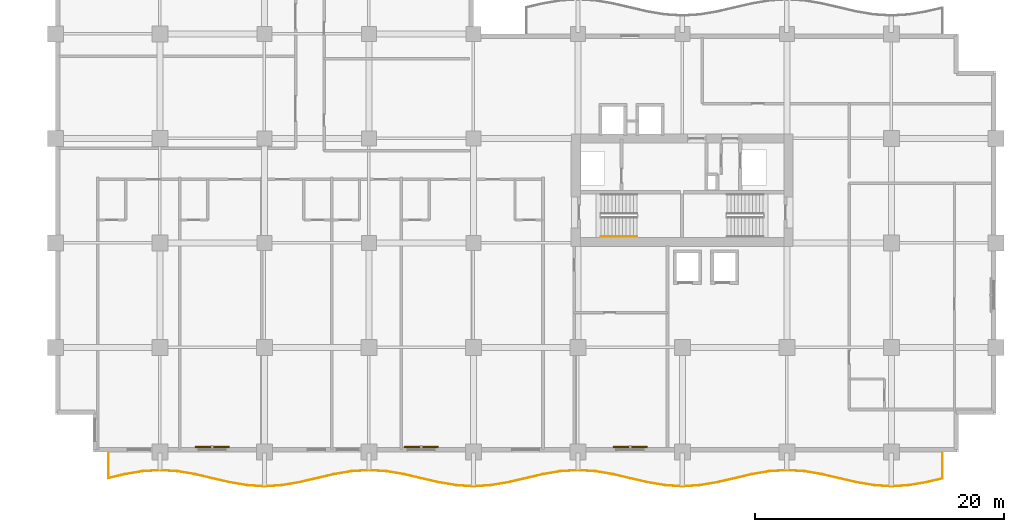
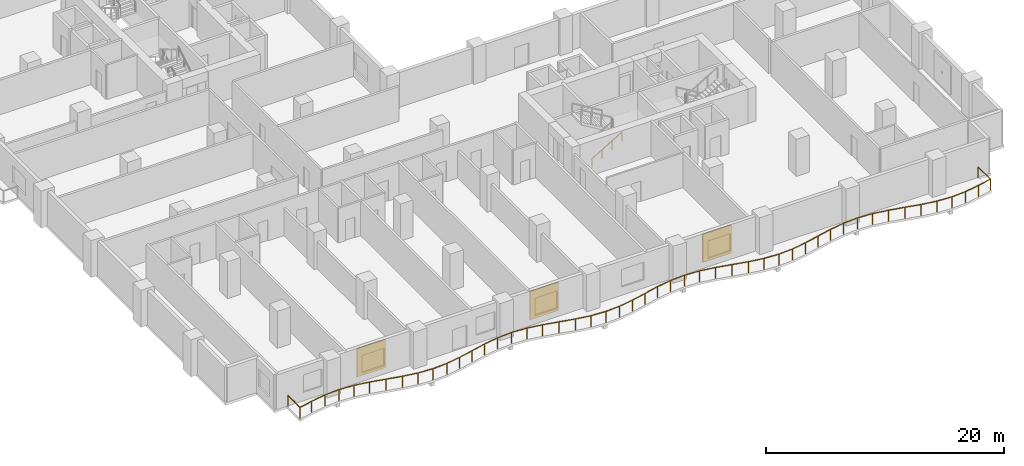
# One storey, part 17 of 20: 3 shading devices, 2 railings.
"""IFC4 building model written with IfcOpenShell, lengths in metres."""

import ifcopenshell
import ifcopenshell.guid

model = None  # the IFC model being written
_history = None  # IfcOwnerHistory: only IFC2X3 demands one
_inside = {}  # id of a spatial element -> (the spatial element, [elements in it])
_under = {}  # id of a project, library or spatial element -> (it, [spatial elements below it])
_declared = {}  # id of a project -> (the project, [libraries it declares])
_typed = {}  # id of a type object -> (the type object, [elements of that type])
_made_of = {}  # id of a material, layer set ... -> (it, [elements and type objects made of it])


def new_model(schema):
    """Start an empty IFC model of exactly this schema.

    Asked for "IFC4X3", IfcOpenShell would pick the latest addendum, in which some entities
    have other attributes; the version numbers below select the first issue.
    IFC2X3 requires an IfcOwnerHistory on every rooted entity: one is made here for all.
    """
    global model, _history
    if schema == "IFC4X3":
        model = ifcopenshell.file(schema_version=(4, 3, 0, 0))
    else:
        model = ifcopenshell.file(schema=schema)
    _inside.clear()
    _under.clear()
    _declared.clear()
    _typed.clear()
    _made_of.clear()
    _history = None
    if model.schema == "IFC2X3":
        org = make("IfcOrganization", Name="unknown")
        user = make(
            "IfcPersonAndOrganization",
            ThePerson=make("IfcPerson", FamilyName="unknown"),
            TheOrganization=org,
        )
        app = make(
            "IfcApplication",
            ApplicationDeveloper=org,
            Version="unknown",
            ApplicationFullName="unknown",
            ApplicationIdentifier="unknown",
        )
        _history = make(
            "IfcOwnerHistory",
            OwningUser=user,
            OwningApplication=app,
            ChangeAction="ADDED",
            CreationDate=0,
        )
    return model


def make(cls, **values):
    """One entity of the class cls with the attributes given. An attribute that is None is left unset."""
    return model.create_entity(
        cls, **{name: value for name, value in values.items() if value is not None}
    )


def rooted(cls, **values):
    """An entity with a GlobalId (a new one), such as an element, a storey or a relation."""
    return make(cls, GlobalId=ifcopenshell.guid.new(), OwnerHistory=_history, **values)


def si_unit(unit_type, name, prefix=None):
    """IfcSIUnit, for example si_unit("LENGTHUNIT", "METRE", prefix="MILLI")."""
    return make("IfcSIUnit", UnitType=unit_type, Prefix=prefix, Name=name)


def assignment(units):
    """IfcUnitAssignment: the units of a project."""
    return None if units is None else make("IfcUnitAssignment", Units=units)


def point(xyz):
    """IfcCartesianPoint."""
    return None if xyz is None else make("IfcCartesianPoint", Coordinates=xyz)


def direction(xyz):
    """IfcDirection."""
    return None if xyz is None else make("IfcDirection", DirectionRatios=xyz)


def frame(location, z_axis=None, x_axis=None):
    """IfcAxis2Placement3D, a coordinate frame: its origin and axes. An axis left out is left unset."""
    return make(
        "IfcAxis2Placement3D",
        Location=point(location),
        Axis=direction(z_axis),
        RefDirection=direction(x_axis),
    )


def frame_2d(location, x_axis=None):
    """IfcAxis2Placement2D, a coordinate frame in the plane: its origin and x axis."""
    return make(
        "IfcAxis2Placement2D", Location=point(location), RefDirection=direction(x_axis)
    )


def origin():
    """The frame at (0, 0, 0) with its axes left unset."""
    return frame((0.0, 0.0, 0.0))


def origin_2d():
    """The frame at (0, 0) in the plane with its x axis left unset."""
    return frame_2d((0.0, 0.0))


def place(relative_to, where):
    """IfcLocalPlacement: puts the frame where relative to a parent placement (None: the world)."""
    return make(
        "IfcLocalPlacement", PlacementRelTo=relative_to, RelativePlacement=where
    )


def context(
    kind, dimensions, precision=None, world=None, true_north=None, identifier=None
):
    """IfcGeometricRepresentationContext, for example the 3D "Model" context."""
    return make(
        "IfcGeometricRepresentationContext",
        ContextIdentifier=identifier,
        ContextType=kind,
        CoordinateSpaceDimension=dimensions,
        Precision=precision,
        WorldCoordinateSystem=world,
        TrueNorth=true_north,
    )


def subcontext(parent, identifier, kind, view, scale=None):
    """IfcGeometricRepresentationSubContext, for example "Body" below "Model"."""
    return make(
        "IfcGeometricRepresentationSubContext",
        ContextIdentifier=identifier,
        ContextType=kind,
        ParentContext=parent,
        TargetScale=scale,
        TargetView=view,
    )


def project(units=None, contexts=None):
    """IfcProject with its units and contexts."""
    return rooted(
        "IfcProject",
        Name="project",
        RepresentationContexts=contexts,
        UnitsInContext=assignment(units),
    )


def spatial(cls, under=None, at=None, **own):
    """A site, building, storey or space (cls), placed at a placement, below another one or the project."""
    s = rooted(cls, ObjectPlacement=at, **own)
    if under is not None:
        _under.setdefault(under.id(), (under, []))[1].append(s)
    return s


def profile(cls, at=None, kind="AREA", **sizes):
    """A parametric profile (cls). Its sizes go by their IFC names, for example OverallWidth=200.0."""
    return make(cls, ProfileType=kind, Position=at, **sizes)


def rectangle(**sizes):
    """IfcRectangleProfileDef."""
    return profile("IfcRectangleProfileDef", **sizes)


def circle(**sizes):
    """IfcCircleProfileDef."""
    return profile("IfcCircleProfileDef", **sizes)


def extrude(swept, where, along, depth):
    """IfcExtrudedAreaSolid: the profile swept, set in the frame where, extruded along a direction by depth."""
    return make(
        "IfcExtrudedAreaSolid",
        SweptArea=swept,
        Position=where,
        ExtrudedDirection=direction(along),
        Depth=depth,
    )


def shape(context_of_items, identifier, shape_type, items):
    """IfcShapeRepresentation: the items that make up one representation, for example the "Body"."""
    return make(
        "IfcShapeRepresentation",
        ContextOfItems=context_of_items,
        RepresentationIdentifier=identifier,
        RepresentationType=shape_type,
        Items=items,
    )


def material(Name=None, Category=None):
    """IfcMaterial."""
    return make("IfcMaterial", Name=Name, Category=Category)


def layer(
    of_material, thickness, ventilated=None, Name=None, Category=None, Priority=None
):
    """IfcMaterialLayer: one layer of a wall or slab, of a material (None: an air gap)."""
    return make(
        "IfcMaterialLayer",
        Material=of_material,
        LayerThickness=thickness,
        IsVentilated=ventilated,
        Name=Name,
        Category=Category,
        Priority=Priority,
    )


def layer_set(layers, Name=None):
    """IfcMaterialLayerSet."""
    return make("IfcMaterialLayerSet", MaterialLayers=layers, LayerSetName=Name)


def made_of(thing, what):
    """Note that an element or type object is made of a material, layer set ...; save() writes the relation."""
    if what is not None:
        _made_of.setdefault(what.id(), (what, []))[1].append(thing)
    return thing


def type_object(cls, material=None, **own):
    """A type object (cls), such as IfcWallType, which elements share."""
    return made_of(rooted(cls, **own), material)


def element(
    cls,
    number,
    at=None,
    inside=None,
    cuts=None,
    type_object=None,
    material=None,
    context=None,
    identifier="Body",
    shape_type=None,
    held_by="IfcProductDefinitionShape",
    body=None,
    shapes=None,
    **own,
):
    """One element of the class cls, such as IfcWall. Its Tag is "e" and its number.

    at: its placement. inside: the storey or other place that contains it. cuts: it is an
    opening in that element (IfcRelVoidsElement). A single representation is given by context,
    identifier, shape_type and body (its items); several are given by shapes. held_by: the class
    of the entity that holds the representations. save() writes the other relations.
    """
    e = rooted(cls, Tag="e%d" % number, ObjectPlacement=at, **own)
    if body is not None:
        shapes = [shape(context, identifier, shape_type, body)]
    if shapes is not None:
        e.Representation = make(held_by, Representations=shapes)
    if inside is not None:
        _inside.setdefault(inside.id(), (inside, []))[1].append(e)
    if cuts is not None:
        rooted(
            "IfcRelVoidsElement", RelatingBuildingElement=cuts, RelatedOpeningElement=e
        )
    if type_object is not None:
        _typed.setdefault(type_object.id(), (type_object, []))[1].append(e)
    return made_of(e, material)


def aggregate(whole, parts):
    """IfcRelAggregates: a whole, such as a stair, and the parts it consists of."""
    return rooted("IfcRelAggregates", RelatingObject=whole, RelatedObjects=parts)


def save(model, path):
    """Write the relations noted so far, then the file.

    IfcRelAggregates (storeys below a building ...), IfcRelContainedInSpatialStructure (elements
    in a storey), IfcRelDefinesByType, IfcRelAssociatesMaterial and IfcRelDeclares: one each for
    every whole, place, type object, material and project.
    """
    for whole, parts in _under.values():
        aggregate(whole, parts)
    for where, things in _inside.values():
        rooted(
            "IfcRelContainedInSpatialStructure",
            RelatedElements=things,
            RelatingStructure=where,
        )
    for kind, things in _typed.values():
        rooted("IfcRelDefinesByType", RelatedObjects=things, RelatingType=kind)
    for what, things in _made_of.values():
        rooted("IfcRelAssociatesMaterial", RelatedObjects=things, RelatingMaterial=what)
    for by, libraries in _declared.values():
        rooted("IfcRelDeclares", RelatingContext=by, RelatedDefinitions=libraries)
    model.write(path)


model = new_model("IFC4")

# Units and contexts
model_context = context("Model", 3, precision=1e-05, world=origin(), true_north=direction((0.0, 1.0)))
body_context = subcontext(model_context, "Body", "Model", "MODEL_VIEW")
ifc_project = project(units=[si_unit("LENGTHUNIT", "METRE"), si_unit("AREAUNIT", "SQUARE_METRE"), si_unit("VOLUMEUNIT", "CUBIC_METRE"), si_unit("PLANEANGLEUNIT", "RADIAN"), si_unit("MASSUNIT", "GRAM", prefix="KILO")], contexts=[model_context])

# Site, building, storey
site_placement = place(None, origin())
site = spatial("IfcSite", under=ifc_project, at=site_placement, CompositionType="ELEMENT")
building_placement = place(site_placement, origin())
building = spatial("IfcBuilding", under=site, at=building_placement, Name="Koriwani Terraces Tower", CompositionType="ELEMENT")
storey_placement = place(building_placement, frame((0.0, 0.0, 126.60009765625)))
storey = spatial("IfcBuildingStorey", under=building, at=storey_placement, Name="L30", CompositionType="ELEMENT", Elevation=126.60009765625)

# Railings
ifc_material_1 = material(Name="Steel ASTM A572 Grade 50", Category="steel")
railing_type_1 = type_object("IfcRailingType", Name="GUARD_BALUSTRADE_1150", PredefinedType="BALUSTRADE", material=ifc_material_1)
railing_1_placement = place(storey_placement, frame((4.280029296875, -0.080078125, 0.0)))
element("IfcRailing", 1, at=railing_1_placement, inside=storey, type_object=railing_type_1, Name="L30 Balcony Perimeter Safety Balustrade (S)", PredefinedType="BALUSTRADE", context=body_context, shape_type="SweptSolid", body=[
    extrude(circle(Radius=0.02392578125, at=origin_2d()), frame((0.0, 0.0, 1.1259765625), z_axis=(0.0, -1.0, 0.0), x_axis=(1.0, 0.0, 0.0)), (0.0, 0.0, 1.0), 2.019287109375),
    extrude(circle(Radius=0.02392578125, at=origin_2d()), frame((0.0, -2.019287109375, 1.1259765625), z_axis=(0.974101503583, 0.226111168934, 0.0), x_axis=(-0.226111168934, 0.974101503583, 0.0)), (0.0, 0.0, 1.0), 1.3388671875),
    extrude(circle(Radius=0.02392578125, at=origin_2d()), frame((1.30419921875, -1.716552734375, 1.1259765625), z_axis=(0.985866306337, 0.167533954852, 0.0), x_axis=(-0.167533954852, 0.985866306337, 0.0)), (0.0, 0.0, 1.0), 1.4267578125),
    extrude(circle(Radius=0.02392578125, at=origin_2d()), frame((2.710693359375, -1.4775390625, 1.1259765625), z_axis=(0.9980820707, 0.061904605217, 0.0), x_axis=(-0.061904605217, 0.9980820707, 0.0)), (0.0, 0.0, 1.0), 1.411865234375),
    extrude(circle(Radius=0.02392578125, at=origin_2d()), frame((4.119873046875, -1.39013671875, 1.1259765625), z_axis=(0.9980820707, -0.061904605217, 0.0), x_axis=(0.061904605217, 0.9980820707, 0.0)), (0.0, 0.0, 1.0), 1.411865234375),
    extrude(circle(Radius=0.02392578125, at=origin_2d()), frame((5.529052734375, -1.4775390625, 1.1259765625), z_axis=(0.985871108269, -0.16750569507, 0.0), x_axis=(0.16750569507, 0.985871108269, 0.0)), (0.0, 0.0, 1.0), 1.427001953125),
    extrude(circle(Radius=0.02392578125, at=origin_2d()), frame((6.935791015625, -1.716552734375, 1.1259765625), z_axis=(0.974105551615, -0.226093729043, 0.0), x_axis=(0.226093729043, 0.974105551615, 0.0)), (0.0, 0.0, 1.0), 2.87451171875),
    extrude(circle(Radius=0.02392578125, at=origin_2d()), frame((9.73583984375, -2.366455078125, 1.1259765625), z_axis=(0.985861269125, -0.167563594016, 0.0), x_axis=(0.167563594016, 0.985861269125, 0.0)), (0.0, 0.0, 1.0), 1.413330078125),
    extrude(circle(Radius=0.02392578125, at=origin_2d()), frame((11.129150390625, -2.603271484375, 1.1259765625), z_axis=(0.998075009192, -0.062018352335, 0.0), x_axis=(0.062018352335, 0.998075009192, 0.0)), (0.0, 0.0, 1.0), 1.3935546875),
    extrude(circle(Radius=0.02392578125, at=origin_2d()), frame((12.52001953125, -2.689697265625, 1.1259765625), z_axis=(0.998075009192, 0.062018352335, 0.0), x_axis=(-0.062018352335, 0.998075009192, 0.0)), (0.0, 0.0, 1.0), 1.3935546875),
    extrude(circle(Radius=0.02392578125, at=origin_2d()), frame((13.910888671875, -2.603271484375, 1.1259765625), z_axis=(0.985861269125, 0.167563594016, 0.0), x_axis=(-0.167563594016, 0.985861269125, 0.0)), (0.0, 0.0, 1.0), 1.413330078125),
    extrude(circle(Radius=0.02392578125, at=origin_2d()), frame((15.30419921875, -2.366455078125, 1.1259765625), z_axis=(0.974105551615, 0.226093729043, 0.0), x_axis=(-0.226093729043, 0.974105551615, 0.0)), (0.0, 0.0, 1.0), 2.87451171875),
    extrude(circle(Radius=0.02392578125, at=origin_2d()), frame((18.104248046875, -1.716552734375, 1.1259765625), z_axis=(0.985866306337, 0.167533954852, 0.0), x_axis=(-0.167533954852, 0.985866306337, 0.0)), (0.0, 0.0, 1.0), 1.4267578125),
    extrude(circle(Radius=0.02392578125, at=origin_2d()), frame((19.5107421875, -1.4775390625, 1.1259765625), z_axis=(0.9980820707, 0.061904605217, 0.0), x_axis=(-0.061904605217, 0.9980820707, 0.0)), (0.0, 0.0, 1.0), 1.411865234375),
    extrude(circle(Radius=0.02392578125, at=origin_2d()), frame((20.919921875, -1.39013671875, 1.1259765625), z_axis=(0.9980820707, -0.061904605217, 0.0), x_axis=(0.061904605217, 0.9980820707, 0.0)), (0.0, 0.0, 1.0), 1.411865234375),
    extrude(circle(Radius=0.02392578125, at=origin_2d()), frame((22.3291015625, -1.4775390625, 1.1259765625), z_axis=(0.985866306337, -0.167533954852, 0.0), x_axis=(0.167533954852, 0.985866306337, 0.0)), (0.0, 0.0, 1.0), 1.4267578125),
    extrude(circle(Radius=0.02392578125, at=origin_2d()), frame((23.735595703125, -1.716552734375, 1.1259765625), z_axis=(0.974109892753, -0.226075024805, 0.0), x_axis=(0.226075024805, 0.974109892753, 0.0)), (0.0, 0.0, 1.0), 2.874755859375),
    extrude(circle(Radius=0.02392578125, at=origin_2d()), frame((26.535888671875, -2.366455078125, 1.1259765625), z_axis=(0.985861269125, -0.167563594016, 0.0), x_axis=(0.167563594016, 0.985861269125, 0.0)), (0.0, 0.0, 1.0), 1.413330078125),
    extrude(circle(Radius=0.02392578125, at=origin_2d()), frame((27.92919921875, -2.603271484375, 1.1259765625), z_axis=(0.998075009192, -0.062018352335, 0.0), x_axis=(0.062018352335, 0.998075009192, 0.0)), (0.0, 0.0, 1.0), 1.3935546875),
    extrude(circle(Radius=0.02392578125, at=origin_2d()), frame((29.320068359375, -2.689697265625, 1.1259765625), z_axis=(0.998074335174, 0.062029198499, 0.0), x_axis=(-0.062029198499, 0.998074335174, 0.0)), (0.0, 0.0, 1.0), 1.393310546875),
    extrude(circle(Radius=0.02392578125, at=origin_2d()), frame((30.710693359375, -2.603271484375, 1.1259765625), z_axis=(0.985866118171, 0.167535062128, 0.0), x_axis=(-0.167535062128, 0.985866118171, 0.0)), (0.0, 0.0, 1.0), 1.41357421875),
    extrude(circle(Radius=0.02392578125, at=origin_2d()), frame((32.104248046875, -2.366455078125, 1.1259765625), z_axis=(0.974105551615, 0.226093729043, 0.0), x_axis=(-0.226093729043, 0.974105551615, 0.0)), (0.0, 0.0, 1.0), 2.87451171875),
    extrude(circle(Radius=0.02392578125, at=origin_2d()), frame((34.904296875, -1.716552734375, 1.1259765625), z_axis=(0.985866306337, 0.167533954852, 0.0), x_axis=(-0.167533954852, 0.985866306337, 0.0)), (0.0, 0.0, 1.0), 1.4267578125),
    extrude(circle(Radius=0.02392578125, at=origin_2d()), frame((36.310791015625, -1.4775390625, 1.1259765625), z_axis=(0.9980820707, 0.061904605217, 0.0), x_axis=(-0.061904605217, 0.9980820707, 0.0)), (0.0, 0.0, 1.0), 1.411865234375),
    extrude(circle(Radius=0.02392578125, at=origin_2d()), frame((37.719970703125, -1.39013671875, 1.1259765625), z_axis=(0.9980820707, -0.061904605217, 0.0), x_axis=(0.061904605217, 0.9980820707, 0.0)), (0.0, 0.0, 1.0), 1.411865234375),
    extrude(circle(Radius=0.02392578125, at=origin_2d()), frame((39.129150390625, -1.4775390625, 1.1259765625), z_axis=(0.985866306337, -0.167533954852, 0.0), x_axis=(0.167533954852, 0.985866306337, 0.0)), (0.0, 0.0, 1.0), 1.4267578125),
    extrude(circle(Radius=0.02392578125, at=origin_2d()), frame((40.53564453125, -1.716552734375, 1.1259765625), z_axis=(0.974105551615, -0.226093729043, 0.0), x_axis=(0.226093729043, 0.974105551615, 0.0)), (0.0, 0.0, 1.0), 2.87451171875),
    extrude(circle(Radius=0.02392578125, at=origin_2d()), frame((43.335693359375, -2.366455078125, 1.1259765625), z_axis=(0.985866118171, -0.167535062128, 0.0), x_axis=(0.167535062128, 0.985866118171, 0.0)), (0.0, 0.0, 1.0), 1.41357421875),
    extrude(circle(Radius=0.02392578125, at=origin_2d()), frame((44.729248046875, -2.603271484375, 1.1259765625), z_axis=(0.998074335174, -0.062029198499, 0.0), x_axis=(0.062029198499, 0.998074335174, 0.0)), (0.0, 0.0, 1.0), 1.393310546875),
    extrude(circle(Radius=0.02392578125, at=origin_2d()), frame((46.119873046875, -2.689697265625, 1.1259765625), z_axis=(0.998075009192, 0.062018352335, 0.0), x_axis=(-0.062018352335, 0.998075009192, 0.0)), (0.0, 0.0, 1.0), 1.3935546875),
    extrude(circle(Radius=0.02392578125, at=origin_2d()), frame((47.5107421875, -2.603271484375, 1.1259765625), z_axis=(0.985861269125, 0.167563594016, 0.0), x_axis=(-0.167563594016, 0.985861269125, 0.0)), (0.0, 0.0, 1.0), 1.413330078125),
    extrude(circle(Radius=0.02392578125, at=origin_2d()), frame((48.904052734375, -2.366455078125, 1.1259765625), z_axis=(0.974109892753, 0.226075024805, 0.0), x_axis=(-0.226075024805, 0.974109892753, 0.0)), (0.0, 0.0, 1.0), 2.874755859375),
    extrude(circle(Radius=0.02392578125, at=origin_2d()), frame((51.704345703125, -1.716552734375, 1.1259765625), z_axis=(0.985866306337, 0.167533954852, 0.0), x_axis=(-0.167533954852, 0.985866306337, 0.0)), (0.0, 0.0, 1.0), 1.4267578125),
    extrude(circle(Radius=0.02392578125, at=origin_2d()), frame((53.11083984375, -1.4775390625, 1.1259765625), z_axis=(0.9980820707, 0.061904605217, 0.0), x_axis=(-0.061904605217, 0.9980820707, 0.0)), (0.0, 0.0, 1.0), 1.411865234375),
    extrude(circle(Radius=0.02392578125, at=origin_2d()), frame((54.52001953125, -1.39013671875, 1.1259765625), z_axis=(0.9980820707, -0.061904605217, 0.0), x_axis=(0.061904605217, 0.9980820707, 0.0)), (0.0, 0.0, 1.0), 1.411865234375),
    extrude(circle(Radius=0.02392578125, at=origin_2d()), frame((55.92919921875, -1.4775390625, 1.1259765625), z_axis=(0.985866306337, -0.167533954852, 0.0), x_axis=(0.167533954852, 0.985866306337, 0.0)), (0.0, 0.0, 1.0), 1.4267578125),
    extrude(circle(Radius=0.02392578125, at=origin_2d()), frame((57.335693359375, -1.716552734375, 1.1259765625), z_axis=(0.974105551615, -0.226093729043, 0.0), x_axis=(0.226093729043, 0.974105551615, 0.0)), (0.0, 0.0, 1.0), 2.87451171875),
    extrude(circle(Radius=0.02392578125, at=origin_2d()), frame((60.1357421875, -2.366455078125, 1.1259765625), z_axis=(0.985861269125, -0.167563594016, 0.0), x_axis=(0.167563594016, 0.985861269125, 0.0)), (0.0, 0.0, 1.0), 1.413330078125),
    extrude(circle(Radius=0.02392578125, at=origin_2d()), frame((61.529052734375, -2.603271484375, 1.1259765625), z_axis=(0.998075009192, -0.062018352335, 0.0), x_axis=(0.062018352335, 0.998075009192, 0.0)), (0.0, 0.0, 1.0), 1.3935546875),
    extrude(circle(Radius=0.02392578125, at=origin_2d()), frame((62.919921875, -2.689697265625, 1.1259765625), z_axis=(0.998075009192, 0.062018352335, 0.0), x_axis=(-0.062018352335, 0.998075009192, 0.0)), (0.0, 0.0, 1.0), 1.3935546875),
    extrude(circle(Radius=0.02392578125, at=origin_2d()), frame((64.310791015625, -2.603271484375, 1.1259765625), z_axis=(0.985861269125, 0.167563594016, 0.0), x_axis=(-0.167563594016, 0.985861269125, 0.0)), (0.0, 0.0, 1.0), 1.413330078125),
    extrude(circle(Radius=0.02392578125, at=origin_2d()), frame((65.7041015625, -2.366455078125, 1.1259765625), z_axis=(0.974108402531, 0.226081445763, 0.0), x_axis=(-0.226081445763, 0.974108402531, 0.0)), (0.0, 0.0, 1.0), 1.371337890625),
    extrude(circle(Radius=0.02392578125, at=origin_2d()), frame((67.0400390625, -2.056396484375, 1.1259765625), z_axis=(0.0, 1.0, 0.0), x_axis=(-1.0, 0.0, 0.0)), (0.0, 0.0, 1.0), 2.056396484375),
    extrude(circle(Radius=0.02099609375, at=origin_2d()), origin(), (0.0, 0.0, 1.0), 1.101806640625),
    extrude(circle(Radius=0.02099609375, at=origin_2d()), frame((0.0, -2.019287109375, 0.0)), (0.0, 0.0, 1.0), 1.101806640625),
    extrude(circle(Radius=0.02099609375, at=origin_2d()), frame((1.30419921875, -1.716552734375, 0.0)), (0.0, 0.0, 1.0), 1.101806640625),
    extrude(circle(Radius=0.02099609375, at=origin_2d()), frame((2.710693359375, -1.4775390625, 0.0)), (0.0, 0.0, 1.0), 1.101806640625),
    extrude(circle(Radius=0.02099609375, at=origin_2d()), frame((4.119873046875, -1.39013671875, 0.0)), (0.0, 0.0, 1.0), 1.101806640625),
    extrude(circle(Radius=0.02099609375, at=origin_2d()), frame((5.529052734375, -1.4775390625, 0.0)), (0.0, 0.0, 1.0), 1.101806640625),
    extrude(circle(Radius=0.02099609375, at=origin_2d()), frame((6.935791015625, -1.716552734375, 0.0)), (0.0, 0.0, 1.0), 1.101806640625),
    extrude(circle(Radius=0.02099609375, at=origin_2d()), frame((8.3359375, -2.04150390625, 0.0)), (0.0, 0.0, 1.0), 1.101806640625),
    extrude(circle(Radius=0.02099609375, at=origin_2d()), frame((9.73583984375, -2.366455078125, 0.0)), (0.0, 0.0, 1.0), 1.101806640625),
    extrude(circle(Radius=0.02099609375, at=origin_2d()), frame((11.129150390625, -2.603271484375, 0.0)), (0.0, 0.0, 1.0), 1.101806640625),
    extrude(circle(Radius=0.02099609375, at=origin_2d()), frame((12.52001953125, -2.689697265625, 0.0)), (0.0, 0.0, 1.0), 1.101806640625),
    extrude(circle(Radius=0.02099609375, at=origin_2d()), frame((13.910888671875, -2.603271484375, 0.0)), (0.0, 0.0, 1.0), 1.101806640625),
    extrude(circle(Radius=0.02099609375, at=origin_2d()), frame((15.30419921875, -2.366455078125, 0.0)), (0.0, 0.0, 1.0), 1.101806640625),
    extrude(circle(Radius=0.02099609375, at=origin_2d()), frame((16.7041015625, -2.04150390625, 0.0)), (0.0, 0.0, 1.0), 1.101806640625),
    extrude(circle(Radius=0.02099609375, at=origin_2d()), frame((18.104248046875, -1.716552734375, 0.0)), (0.0, 0.0, 1.0), 1.101806640625),
    extrude(circle(Radius=0.02099609375, at=origin_2d()), frame((19.5107421875, -1.4775390625, 0.0)), (0.0, 0.0, 1.0), 1.101806640625),
    extrude(circle(Radius=0.02099609375, at=origin_2d()), frame((20.919921875, -1.39013671875, 0.0)), (0.0, 0.0, 1.0), 1.101806640625),
    extrude(circle(Radius=0.02099609375, at=origin_2d()), frame((22.3291015625, -1.4775390625, 0.0)), (0.0, 0.0, 1.0), 1.101806640625),
    extrude(circle(Radius=0.02099609375, at=origin_2d()), frame((23.735595703125, -1.716552734375, 0.0)), (0.0, 0.0, 1.0), 1.101806640625),
    extrude(circle(Radius=0.02099609375, at=origin_2d()), frame((25.1357421875, -2.04150390625, 0.0)), (0.0, 0.0, 1.0), 1.101806640625),
    extrude(circle(Radius=0.02099609375, at=origin_2d()), frame((26.535888671875, -2.366455078125, 0.0)), (0.0, 0.0, 1.0), 1.101806640625),
    extrude(circle(Radius=0.02099609375, at=origin_2d()), frame((27.92919921875, -2.603271484375, 0.0)), (0.0, 0.0, 1.0), 1.101806640625),
    extrude(circle(Radius=0.02099609375, at=origin_2d()), frame((29.320068359375, -2.689697265625, 0.0)), (0.0, 0.0, 1.0), 1.101806640625),
    extrude(circle(Radius=0.02099609375, at=origin_2d()), frame((30.710693359375, -2.603271484375, 0.0)), (0.0, 0.0, 1.0), 1.101806640625),
    extrude(circle(Radius=0.02099609375, at=origin_2d()), frame((32.104248046875, -2.366455078125, 0.0)), (0.0, 0.0, 1.0), 1.101806640625),
    extrude(circle(Radius=0.02099609375, at=origin_2d()), frame((33.50439453125, -2.04150390625, 0.0)), (0.0, 0.0, 1.0), 1.101806640625),
    extrude(circle(Radius=0.02099609375, at=origin_2d()), frame((34.904296875, -1.716552734375, 0.0)), (0.0, 0.0, 1.0), 1.101806640625),
    extrude(circle(Radius=0.02099609375, at=origin_2d()), frame((36.310791015625, -1.4775390625, 0.0)), (0.0, 0.0, 1.0), 1.101806640625),
    extrude(circle(Radius=0.02099609375, at=origin_2d()), frame((37.719970703125, -1.39013671875, 0.0)), (0.0, 0.0, 1.0), 1.101806640625),
    extrude(circle(Radius=0.02099609375, at=origin_2d()), frame((39.129150390625, -1.4775390625, 0.0)), (0.0, 0.0, 1.0), 1.101806640625),
    extrude(circle(Radius=0.02099609375, at=origin_2d()), frame((40.53564453125, -1.716552734375, 0.0)), (0.0, 0.0, 1.0), 1.101806640625),
    extrude(circle(Radius=0.02099609375, at=origin_2d()), frame((41.935546875, -2.04150390625, 0.0)), (0.0, 0.0, 1.0), 1.101806640625),
    extrude(circle(Radius=0.02099609375, at=origin_2d()), frame((43.335693359375, -2.366455078125, 0.0)), (0.0, 0.0, 1.0), 1.101806640625),
    extrude(circle(Radius=0.02099609375, at=origin_2d()), frame((44.729248046875, -2.603271484375, 0.0)), (0.0, 0.0, 1.0), 1.101806640625),
    extrude(circle(Radius=0.02099609375, at=origin_2d()), frame((46.119873046875, -2.689697265625, 0.0)), (0.0, 0.0, 1.0), 1.101806640625),
    extrude(circle(Radius=0.02099609375, at=origin_2d()), frame((47.5107421875, -2.603271484375, 0.0)), (0.0, 0.0, 1.0), 1.101806640625),
    extrude(circle(Radius=0.02099609375, at=origin_2d()), frame((48.904052734375, -2.366455078125, 0.0)), (0.0, 0.0, 1.0), 1.101806640625),
    extrude(circle(Radius=0.02099609375, at=origin_2d()), frame((50.30419921875, -2.04150390625, 0.0)), (0.0, 0.0, 1.0), 1.101806640625),
    extrude(circle(Radius=0.02099609375, at=origin_2d()), frame((51.704345703125, -1.716552734375, 0.0)), (0.0, 0.0, 1.0), 1.101806640625),
    extrude(circle(Radius=0.02099609375, at=origin_2d()), frame((53.11083984375, -1.4775390625, 0.0)), (0.0, 0.0, 1.0), 1.101806640625),
    extrude(circle(Radius=0.02099609375, at=origin_2d()), frame((54.52001953125, -1.39013671875, 0.0)), (0.0, 0.0, 1.0), 1.101806640625),
    extrude(circle(Radius=0.02099609375, at=origin_2d()), frame((55.92919921875, -1.4775390625, 0.0)), (0.0, 0.0, 1.0), 1.101806640625),
    extrude(circle(Radius=0.02099609375, at=origin_2d()), frame((57.335693359375, -1.716552734375, 0.0)), (0.0, 0.0, 1.0), 1.101806640625),
    extrude(circle(Radius=0.02099609375, at=origin_2d()), frame((58.73583984375, -2.04150390625, 0.0)), (0.0, 0.0, 1.0), 1.101806640625),
    extrude(circle(Radius=0.02099609375, at=origin_2d()), frame((60.1357421875, -2.366455078125, 0.0)), (0.0, 0.0, 1.0), 1.101806640625),
    extrude(circle(Radius=0.02099609375, at=origin_2d()), frame((61.529052734375, -2.603271484375, 0.0)), (0.0, 0.0, 1.0), 1.101806640625),
    extrude(circle(Radius=0.02099609375, at=origin_2d()), frame((62.919921875, -2.689697265625, 0.0)), (0.0, 0.0, 1.0), 1.101806640625),
    extrude(circle(Radius=0.02099609375, at=origin_2d()), frame((64.310791015625, -2.603271484375, 0.0)), (0.0, 0.0, 1.0), 1.101806640625),
    extrude(circle(Radius=0.02099609375, at=origin_2d()), frame((65.7041015625, -2.366455078125, 0.0)), (0.0, 0.0, 1.0), 1.101806640625),
    extrude(circle(Radius=0.02099609375, at=origin_2d()), frame((67.0400390625, -2.056396484375, 0.0)), (0.0, 0.0, 1.0), 1.101806640625),
    extrude(circle(Radius=0.02099609375, at=origin_2d()), frame((67.0400390625, 0.0, 0.0)), (0.0, 0.0, 1.0), 1.101806640625),
])
railing_type_2 = type_object("IfcRailingType", Name="HANDRAIL_STAIR_920", PredefinedType="HANDRAIL", material=ifc_material_1)
railing_2_placement = place(storey_placement, frame((43.85009765625, 17.300048828125, 0.172607421875)))
element("IfcRailing", 2, at=railing_2_placement, inside=storey, type_object=railing_type_2, Name="L30 ST-E1 stair handrail 1", PredefinedType="HANDRAIL", context=body_context, shape_type="SweptSolid", body=[
    extrude(circle(Radius=0.02392578125, at=origin_2d()), frame((0.0, 0.0, 0.8759765625), z_axis=(0.859141464434, 0.0, 0.511738159696), x_axis=(0.0, 1.0, 0.0)), (0.0, 0.0, 1.0), 3.375244140625),
    extrude(circle(Radius=0.02099609375, at=origin_2d()), origin(), (0.0, 0.0, 1.0), 0.851806640625),
    extrude(circle(Radius=0.02099609375, at=origin_2d()), frame((0.966552734375, 0.0, 0.57568359375)), (0.0, 0.0, 1.0), 0.851806640625),
    extrude(circle(Radius=0.02099609375, at=origin_2d()), frame((1.933349609375, 0.0, 1.151611328125)), (0.0, 0.0, 1.0), 0.851806640625),
    extrude(circle(Radius=0.02099609375, at=origin_2d()), frame((2.89990234375, 0.0, 1.727294921875)), (0.0, 0.0, 1.0), 0.851806640625),
])

# Shading devices
ifc_material_2 = material(Name="Extruded Terracotta Clay", Category="masonry")
ifc_layer = layer(ifc_material_2, 0.1201171875, Name="Extruded Terracotta Clay")
ifc_layer_set = layer_set([ifc_layer], Name="Extruded Terracotta Clay")
shading_device_type = type_object("IfcShadingDeviceType", Name="TERRACOTTA_BAGUETTE_SCREEN_2800", PredefinedType="USERDEFINED", material=ifc_layer_set)
for number, where, z_axis, x_axis, name in (
    (3, (12.60009765625, 0.405029296875, 0.324951171875), (0.0, 0.0, 1.0), (-1.0, 0.0, 0.0), "L30 Extruded Terracotta Baguette Screen (S-3)"),
    (4, (29.39990234375, 0.405029296875, 0.324951171875), (0.0, 0.0, 1.0), (-1.0, 0.0, 0.0), "L30 Extruded Terracotta Baguette Screen (S-9)"),
    (5, (46.199951171875, 0.405029296875, 0.324951171875), (0.0, 0.0, 1.0), (-1.0, 0.0, 0.0), "L30 Extruded Terracotta Baguette Screen (S-15)"),
):
    element("IfcShadingDevice", number, at=place(storey_placement, frame(where, z_axis=z_axis, x_axis=x_axis)), inside=storey, type_object=shading_device_type, Name=name, ObjectType="BAGUETTE", PredefinedType="USERDEFINED", context=body_context, shape_type="SweptSolid", body=[
        extrude(rectangle(XDim=2.760009765625, YDim=0.1201171875, at=origin_2d()), origin(), (0.0, 0.0, 1.0), 2.89990234375),
    ])

save(model, "model.ifc")
